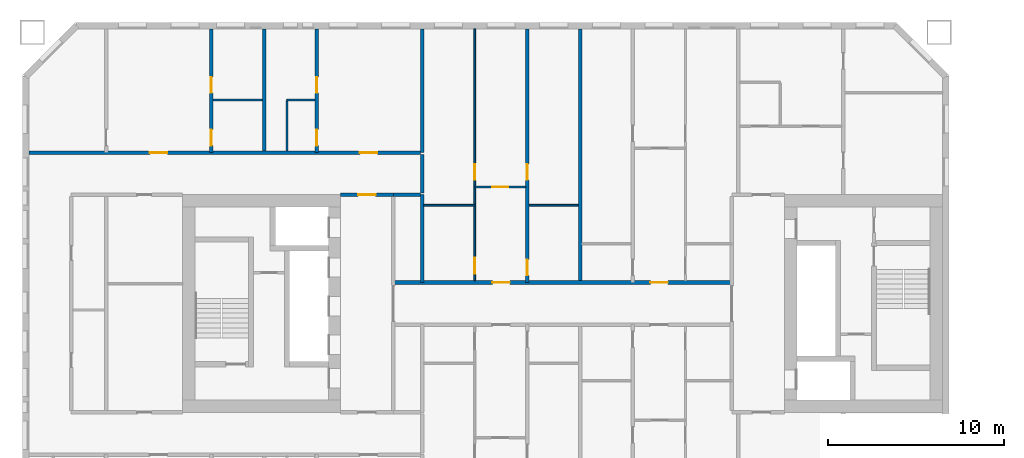
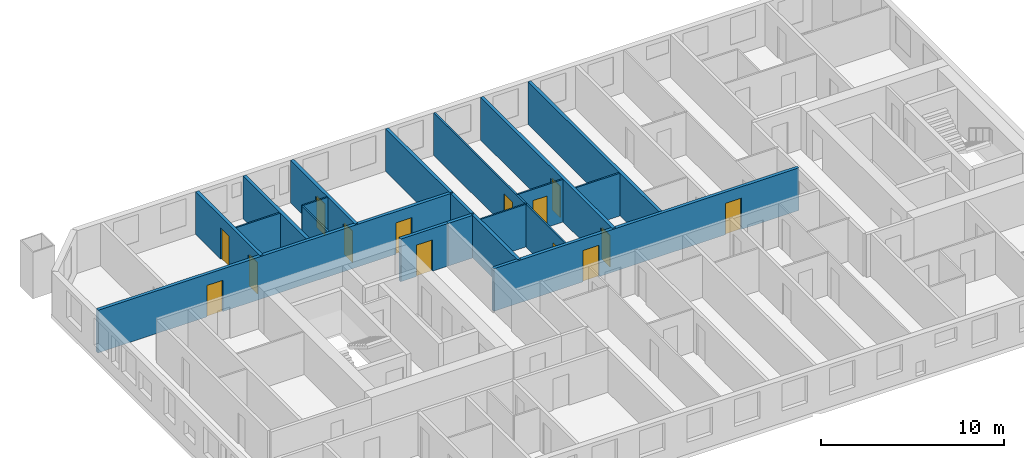
# One storey, part 5 of 17: 19 walls, 14 doors, 14 openings.
"""IFC4 building model written with IfcOpenShell, lengths in metres."""

from ifc_helpers import new_model, si_unit, direction, frame, frame_2d, origin, place, context, subcontext, project, spatial, rectangle, extrude, material, layer, layer_set, type_object, element, fill, save


model = new_model("IFC4")

# Units and contexts
model_context = context("Model", 3, precision=1e-05, world=origin(), true_north=direction((0.0, 1.0)))
body_context = subcontext(model_context, "Body", "Model", "MODEL_VIEW")
ifc_project = project(units=[si_unit("LENGTHUNIT", "METRE"), si_unit("AREAUNIT", "SQUARE_METRE"), si_unit("VOLUMEUNIT", "CUBIC_METRE"), si_unit("PLANEANGLEUNIT", "RADIAN"), si_unit("MASSUNIT", "GRAM", prefix="KILO")], contexts=[model_context])

# Site, building, storey
site_placement = place(None, origin())
site = spatial("IfcSite", under=ifc_project, at=site_placement, CompositionType="ELEMENT")
building_placement = place(site_placement, origin())
building = spatial("IfcBuilding", under=site, at=building_placement, Name="Tuart Gate Housing", CompositionType="ELEMENT")
storey_placement = place(building_placement, frame((0.0, 0.0, 77.800048828125)))
storey = spatial("IfcBuildingStorey", under=building, at=storey_placement, Name="L21", CompositionType="ELEMENT", Elevation=77.800048828125)

# Wall, openings, doors
ifc_material_1 = material(Name="Concrete masonry 15 MPa", Category="masonry")
ifc_layer_1 = layer(ifc_material_1, 0.199951171875)
ifc_layer_set_1 = layer_set([ifc_layer_1], Name="Corridor wall masonry 200")
wall_type_1 = type_object("IfcWallType", Name="Corridor wall masonry 200", PredefinedType="PARTITIONING", material=ifc_layer_set_1)
wall_1_placement = place(storey_placement, frame((44.360107421875, 71.199951171875, 0.0), z_axis=(0.0, 0.0, 1.0), x_axis=(1.0, 0.0, 0.0)))
wall_1 = element("IfcWall", 1, at=wall_1_placement, inside=storey, type_object=wall_type_1, Name="Corridor wall masonry 200", PredefinedType="PARTITIONING", context=body_context, shape_type="SweptSolid", body=[
    extrude(rectangle(XDim=19.27978515625, YDim=0.199951171875, at=frame_2d((9.639892578125, 0.0))), origin(), (0.0, 0.0, 1.0), 2.849853515625),
])
opening_1_placement = place(wall_1_placement, frame((14.639892578125, 0.0, 0.0)))
opening_1 = element("IfcOpeningElement", 2, at=opening_1_placement, cuts=wall_1, Name="Opening D859", PredefinedType="OPENING", context=body_context, shape_type="SweptSolid", body=[
    extrude(rectangle(XDim=1.0, YDim=2.10009765625, at=frame_2d((0.5, 1.050048828125))), frame((0.0, 0.10986328125, 0.0), z_axis=(0.0, -1.0, 0.0), x_axis=(1.0, 0.0, 0.0)), (0.0, 0.0, 1.0), 0.219970703125),
])
opening_2_placement = place(wall_1_placement, frame((5.639892578125, 0.0, 0.0)))
opening_2 = element("IfcOpeningElement", 3, at=opening_2_placement, cuts=wall_1, Name="Opening D860", PredefinedType="OPENING", context=body_context, shape_type="SweptSolid", body=[
    extrude(rectangle(XDim=1.0, YDim=2.10009765625, at=frame_2d((0.5, 1.050048828125))), frame((0.0, 0.10986328125, 0.0), z_axis=(0.0, -1.0, 0.0), x_axis=(1.0, 0.0, 0.0)), (0.0, 0.0, 1.0), 0.219970703125),
])
ifc_material_2 = material(Name="Timber door leaf in steel frame", Category="steel")
door_type_1 = type_object("IfcDoorType", Name="Flat entrance door 1000", OperationType="SINGLE_SWING_LEFT", PredefinedType="DOOR", material=ifc_material_2)
door_1_placement = place(opening_1_placement, origin())
door_1 = element("IfcDoor", 4, at=door_1_placement, inside=storey, type_object=door_type_1, Name="Flat entrance door", OperationType="SINGLE_SWING_LEFT", OverallHeight=2.10009765625, OverallWidth=1.0, PredefinedType="DOOR", context=body_context, shape_type="SweptSolid", body=[
    extrude(rectangle(XDim=1.0, YDim=2.10009765625, at=frame_2d((0.5, 1.050048828125))), frame((0.0, 0.02490234375, 0.0), z_axis=(0.0, -1.0, 0.0), x_axis=(1.0, 0.0, 0.0)), (0.0, 0.0, 1.0), 0.050048828125),
])
fill(opening_1, door_1)
door_2_placement = place(opening_2_placement, origin())
door_2 = element("IfcDoor", 5, at=door_2_placement, inside=storey, type_object=door_type_1, Name="Flat entrance door", OperationType="SINGLE_SWING_LEFT", OverallHeight=2.10009765625, OverallWidth=1.0, PredefinedType="DOOR", context=body_context, shape_type="SweptSolid", body=[
    extrude(rectangle(XDim=1.0, YDim=2.10009765625, at=frame_2d((0.5, 1.050048828125))), frame((0.0, 0.02490234375, 0.0), z_axis=(0.0, -1.0, 0.0), x_axis=(1.0, 0.0, 0.0)), (0.0, 0.0, 1.0), 0.050048828125),
])
fill(opening_2, door_2)

# Wall
wall_2_placement = place(storey_placement, frame((44.360107421875, 76.199951171875, 0.0), z_axis=(0.0, 0.0, 1.0), x_axis=(1.0, 0.0, 0.0)))
element("IfcWall", 6, at=wall_2_placement, inside=storey, type_object=wall_type_1, Name="Corridor wall masonry 200", PredefinedType="PARTITIONING", context=body_context, shape_type="SweptSolid", body=[
    extrude(rectangle(XDim=1.539794921875, YDim=0.199951171875, at=frame_2d((0.77001953125, 0.0))), origin(), (0.0, 0.0, 1.0), 2.849853515625),
])

# Wall, openings, doors
wall_3_placement = place(storey_placement, frame((23.610107421875, 78.60009765625, 0.0), z_axis=(0.0, 0.0, 1.0), x_axis=(1.0, 0.0, 0.0)))
wall_3 = element("IfcWall", 7, at=wall_3_placement, inside=storey, type_object=wall_type_1, Name="Corridor wall masonry 200", PredefinedType="PARTITIONING", context=body_context, shape_type="SweptSolid", body=[
    extrude(rectangle(XDim=22.289794921875, YDim=0.199951171875, at=frame_2d((11.14501953125, 0.0))), origin(), (0.0, 0.0, 1.0), 2.849853515625),
])
opening_3_placement = place(wall_3_placement, frame((18.840087890625, 0.0, 0.0)))
opening_3 = element("IfcOpeningElement", 8, at=opening_3_placement, cuts=wall_3, Name="Opening D843", PredefinedType="OPENING", context=body_context, shape_type="SweptSolid", body=[
    extrude(rectangle(XDim=1.0, YDim=2.10009765625, at=frame_2d((0.5, 1.050048828125))), frame((0.0, 0.10986328125, 0.0), z_axis=(0.0, -1.0, 0.0), x_axis=(1.0, 0.0, 0.0)), (0.0, 0.0, 1.0), 0.219970703125),
])
opening_4_placement = place(wall_3_placement, frame((6.889892578125, 0.0, 0.0)))
opening_4 = element("IfcOpeningElement", 9, at=opening_4_placement, cuts=wall_3, Name="Opening D844", PredefinedType="OPENING", context=body_context, shape_type="SweptSolid", body=[
    extrude(rectangle(XDim=1.0, YDim=2.10009765625, at=frame_2d((0.5, 1.050048828125))), frame((0.0, 0.10986328125, 0.0), z_axis=(0.0, -1.0, 0.0), x_axis=(1.0, 0.0, 0.0)), (0.0, 0.0, 1.0), 0.219970703125),
])
door_3_placement = place(opening_3_placement, origin())
door_3 = element("IfcDoor", 10, at=door_3_placement, inside=storey, type_object=door_type_1, Name="Flat entrance door", OperationType="SINGLE_SWING_LEFT", OverallHeight=2.10009765625, OverallWidth=1.0, PredefinedType="DOOR", context=body_context, shape_type="SweptSolid", body=[
    extrude(rectangle(XDim=1.0, YDim=2.10009765625, at=frame_2d((0.5, 1.050048828125))), frame((0.0, 0.02490234375, 0.0), z_axis=(0.0, -1.0, 0.0), x_axis=(1.0, 0.0, 0.0)), (0.0, 0.0, 1.0), 0.050048828125),
])
fill(opening_3, door_3)
door_4_placement = place(opening_4_placement, origin())
door_4 = element("IfcDoor", 11, at=door_4_placement, inside=storey, type_object=door_type_1, Name="Flat entrance door", OperationType="SINGLE_SWING_LEFT", OverallHeight=2.10009765625, OverallWidth=1.0, PredefinedType="DOOR", context=body_context, shape_type="SweptSolid", body=[
    extrude(rectangle(XDim=1.0, YDim=2.10009765625, at=frame_2d((0.5, 1.050048828125))), frame((0.0, 0.02490234375, 0.0), z_axis=(0.0, -1.0, 0.0), x_axis=(1.0, 0.0, 0.0)), (0.0, 0.0, 1.0), 0.050048828125),
])
fill(opening_4, door_4)

# Wall
wall_4_placement = place(storey_placement, frame((46.0, 76.300048828125, 0.0), z_axis=(0.0, 0.0, 1.0), x_axis=(0.0, 1.0, 0.0)))
element("IfcWall", 12, at=wall_4_placement, inside=storey, type_object=wall_type_1, Name="Corridor wall masonry 200", PredefinedType="PARTITIONING", context=body_context, shape_type="SweptSolid", body=[
    extrude(rectangle(XDim=2.199951171875, YDim=0.199951171875, at=frame_2d((1.10009765625, 0.0))), origin(), (0.0, 0.0, 1.0), 2.849853515625),
])

# Wall, opening, door
ifc_material_3 = material(Name="Concrete masonry 15 MPa", Category="masonry")
ifc_layer_2 = layer(ifc_material_3, 0.199951171875)
ifc_layer_set_2 = layer_set([ifc_layer_2], Name="Enclosure wall masonry 200")
wall_type_2 = type_object("IfcWallType", Name="Enclosure wall masonry 200", PredefinedType="PARTITIONING", material=ifc_layer_set_2)
wall_5_placement = place(storey_placement, frame((41.360107421875, 76.199951171875, 0.0), z_axis=(0.0, 0.0, 1.0), x_axis=(1.0, 0.0, 0.0)))
wall_5 = element("IfcWall", 13, at=wall_5_placement, inside=storey, type_object=wall_type_2, Name="Enclosure wall masonry 200", PredefinedType="PARTITIONING", context=body_context, shape_type="SweptSolid", body=[
    extrude(rectangle(XDim=3.0, YDim=0.199951171875, at=frame_2d((1.5, 0.0))), origin(), (0.0, 0.0, 1.0), 2.849853515625),
])
opening_5_placement = place(wall_5_placement, frame((1.0, 0.0, 0.0)))
opening_5 = element("IfcOpeningElement", 14, at=opening_5_placement, cuts=wall_5, Name="Opening D855", PredefinedType="OPENING", context=body_context, shape_type="SweptSolid", body=[
    extrude(rectangle(XDim=1.0, YDim=2.10009765625, at=frame_2d((0.5, 1.050048828125))), frame((0.0, 0.10986328125, 0.0), z_axis=(0.0, -1.0, 0.0), x_axis=(1.0, 0.0, 0.0)), (0.0, 0.0, 1.0), 0.219970703125),
])
ifc_material_4 = material(Name="Timber door leaf in steel frame", Category="steel")
door_type_2 = type_object("IfcDoorType", Name="Fire door 1000 RH", OperationType="SINGLE_SWING_RIGHT", PredefinedType="DOOR", material=ifc_material_4)
door_5_placement = place(opening_5_placement, origin())
door_5 = element("IfcDoor", 15, at=door_5_placement, inside=storey, type_object=door_type_2, Name="Fire door", OperationType="SINGLE_SWING_RIGHT", OverallHeight=2.10009765625, OverallWidth=1.0, PredefinedType="DOOR", context=body_context, shape_type="SweptSolid", body=[
    extrude(rectangle(XDim=1.0, YDim=2.10009765625, at=frame_2d((0.5, 1.050048828125))), frame((0.0, 0.02490234375, 0.0), z_axis=(0.0, -1.0, 0.0), x_axis=(1.0, 0.0, 0.0)), (0.0, 0.0, 1.0), 0.050048828125),
])
fill(opening_5, door_5)

# Walls
ifc_material_5 = material(Name="Gypsum board on steel studs", Category="steel")
ifc_layer_3 = layer(ifc_material_5, 0.10009765625)
ifc_layer_set_3 = layer_set([ifc_layer_3], Name="Partition 100")
wall_type_3 = type_object("IfcWallType", Name="Partition 100", PredefinedType="PARTITIONING", material=ifc_layer_set_3)
wall_6_placement = place(storey_placement, frame((46.10009765625, 75.60009765625, 0.0), z_axis=(0.0, 0.0, 1.0), x_axis=(1.0, 0.0, 0.0)))
element("IfcWall", 16, at=wall_6_placement, inside=storey, type_object=wall_type_3, Name="Partition 100", PredefinedType="PARTITIONING", context=body_context, shape_type="SweptSolid", body=[
    extrude(rectangle(XDim=2.89990234375, YDim=0.10009765625, at=frame_2d((1.449951171875, 0.0))), origin(), (0.0, 0.0, 1.0), 2.849853515625),
])
wall_7_placement = place(storey_placement, frame((52.10009765625, 75.60009765625, 0.0), z_axis=(0.0, 0.0, 1.0), x_axis=(1.0, 0.0, 0.0)))
element("IfcWall", 17, at=wall_7_placement, inside=storey, type_object=wall_type_3, Name="Partition 100", PredefinedType="PARTITIONING", context=body_context, shape_type="SweptSolid", body=[
    extrude(rectangle(XDim=2.7998046875, YDim=0.10009765625, at=frame_2d((1.39990234375, 0.0))), origin(), (0.0, 0.0, 1.0), 2.849853515625),
])

# Wall, opening, door
wall_8_placement = place(storey_placement, frame((49.0, 76.639892578125, 0.0), z_axis=(0.0, 0.0, 1.0), x_axis=(1.0, 0.0, 0.0)))
wall_8 = element("IfcWall", 18, at=wall_8_placement, inside=storey, type_object=wall_type_3, Name="Partition 100", PredefinedType="PARTITIONING", context=body_context, shape_type="SweptSolid", body=[
    extrude(rectangle(XDim=2.89990234375, YDim=0.10009765625, at=frame_2d((1.449951171875, 0.0))), origin(), (0.0, 0.0, 1.0), 2.849853515625),
])
opening_6_placement = place(wall_8_placement, frame((1.0, 0.0, 0.0)))
opening_6 = element("IfcOpeningElement", 19, at=opening_6_placement, cuts=wall_8, Name="Opening D853", PredefinedType="OPENING", context=body_context, shape_type="SweptSolid", body=[
    extrude(rectangle(XDim=0.89990234375, YDim=2.10009765625, at=frame_2d((0.449951171875, 1.050048828125))), frame((0.0, 0.06005859375, 0.0), z_axis=(0.0, -1.0, 0.0), x_axis=(1.0, 0.0, 0.0)), (0.0, 0.0, 1.0), 0.1201171875),
])
ifc_material_6 = material(Name="Timber door leaf in steel frame", Category="steel")
door_type_3 = type_object("IfcDoorType", Name="Internal door 900 RH", OperationType="SINGLE_SWING_RIGHT", PredefinedType="DOOR", material=ifc_material_6)
door_6_placement = place(opening_6_placement, frame((0.89990234375, 0.0, 0.0), z_axis=(0.0, 0.0, 1.0), x_axis=(-1.0, 0.0, 0.0)))
door_6 = element("IfcDoor", 20, at=door_6_placement, inside=storey, type_object=door_type_3, Name="Internal door", OperationType="SINGLE_SWING_RIGHT", OverallHeight=2.10009765625, OverallWidth=0.89990234375, PredefinedType="DOOR", context=body_context, shape_type="SweptSolid", body=[
    extrude(rectangle(XDim=0.89990234375, YDim=2.10009765625, at=frame_2d((0.449951171875, 1.050048828125))), frame((0.0, 0.025146484375, 0.0), z_axis=(0.0, -1.0, 0.0), x_axis=(1.0, 0.0, 0.0)), (0.0, 0.0, 1.0), 0.050048828125),
])
fill(opening_6, door_6)

# Walls
wall_9_placement = place(storey_placement, frame((34.10009765625, 81.60009765625, 0.0), z_axis=(0.0, 0.0, 1.0), x_axis=(1.0, 0.0, 0.0)))
element("IfcWall", 21, at=wall_9_placement, inside=storey, type_object=wall_type_3, Name="Partition 100", PredefinedType="PARTITIONING", context=body_context, shape_type="SweptSolid", body=[
    extrude(rectangle(XDim=2.7998046875, YDim=0.10009765625, at=frame_2d((1.39990234375, 0.0))), origin(), (0.0, 0.0, 1.0), 2.849853515625),
])
wall_10_placement = place(storey_placement, frame((38.300048828125, 81.60009765625, 0.0), z_axis=(0.0, 0.0, 1.0), x_axis=(1.0, 0.0, 0.0)))
element("IfcWall", 22, at=wall_10_placement, inside=storey, type_object=wall_type_3, Name="Partition 100", PredefinedType="PARTITIONING", context=body_context, shape_type="SweptSolid", body=[
    extrude(rectangle(XDim=1.599853515625, YDim=0.10009765625, at=frame_2d((0.7998046875, 0.0))), origin(), (0.0, 0.0, 1.0), 2.849853515625),
])
wall_11_placement = place(storey_placement, frame((38.300048828125, 78.699951171875, 0.0), z_axis=(0.0, 0.0, 1.0), x_axis=(0.0, 1.0, 0.0)))
element("IfcWall", 23, at=wall_11_placement, inside=storey, type_object=wall_type_3, Name="Partition 100", PredefinedType="PARTITIONING", context=body_context, shape_type="SweptSolid", body=[
    extrude(rectangle(XDim=2.85009765625, YDim=0.10009765625, at=frame_2d((1.425048828125, 0.0))), origin(), (0.0, 0.0, 1.0), 2.849853515625),
])

# Wall, openings, doors
wall_12_placement = place(storey_placement, frame((49.0, 71.300048828125, 0.0), z_axis=(0.0, 0.0, 1.0), x_axis=(0.0, 1.0, 0.0)))
wall_12 = element("IfcWall", 24, at=wall_12_placement, inside=storey, type_object=wall_type_3, Name="Partition 100", PredefinedType="PARTITIONING", context=body_context, shape_type="SweptSolid", body=[
    extrude(rectangle(XDim=14.33984375, YDim=0.10009765625, at=frame_2d((7.169921875, 0.0))), origin(), (0.0, 0.0, 1.0), 2.849853515625),
])
opening_7_placement = place(wall_12_placement, frame((5.739990234375, 0.0, 0.0)))
opening_7 = element("IfcOpeningElement", 25, at=opening_7_placement, cuts=wall_12, Name="Opening D846", PredefinedType="OPENING", context=body_context, shape_type="SweptSolid", body=[
    extrude(rectangle(XDim=0.89990234375, YDim=2.10009765625, at=frame_2d((0.449951171875, 1.050048828125))), frame((0.0, 0.06005859375, 0.0), z_axis=(0.0, -1.0, 0.0), x_axis=(1.0, 0.0, 0.0)), (0.0, 0.0, 1.0), 0.1201171875),
])
opening_8_placement = place(wall_12_placement, frame((0.39990234375, 0.0, 0.0)))
opening_8 = element("IfcOpeningElement", 26, at=opening_8_placement, cuts=wall_12, Name="Opening D845", PredefinedType="OPENING", context=body_context, shape_type="SweptSolid", body=[
    extrude(rectangle(XDim=0.89990234375, YDim=2.10009765625, at=frame_2d((0.449951171875, 1.050048828125))), frame((0.0, 0.06005859375, 0.0), z_axis=(0.0, -1.0, 0.0), x_axis=(1.0, 0.0, 0.0)), (0.0, 0.0, 1.0), 0.1201171875),
])
ifc_material_7 = material(Name="Timber door leaf in steel frame", Category="steel")
door_type_4 = type_object("IfcDoorType", Name="Bathroom door 900", OperationType="SINGLE_SWING_LEFT", PredefinedType="DOOR", material=ifc_material_7)
door_7_placement = place(opening_8_placement, origin())
door_7 = element("IfcDoor", 27, at=door_7_placement, inside=storey, type_object=door_type_4, Name="Bathroom door", OperationType="SINGLE_SWING_LEFT", OverallHeight=2.10009765625, OverallWidth=0.89990234375, PredefinedType="DOOR", context=body_context, shape_type="SweptSolid", body=[
    extrude(rectangle(XDim=0.89990234375, YDim=2.10009765625, at=frame_2d((0.449951171875, 1.050048828125))), frame((0.0, 0.02490234375, 0.0), z_axis=(0.0, -1.0, 0.0), x_axis=(1.0, 0.0, 0.0)), (0.0, 0.0, 1.0), 0.050048828125),
])
fill(opening_8, door_7)
ifc_material_8 = material(Name="Timber door leaf in steel frame", Category="steel")
door_type_5 = type_object("IfcDoorType", Name="Internal door 900", OperationType="SINGLE_SWING_LEFT", PredefinedType="DOOR", material=ifc_material_8)
door_8_placement = place(opening_7_placement, origin())
door_8 = element("IfcDoor", 28, at=door_8_placement, inside=storey, type_object=door_type_5, Name="Internal door", OperationType="SINGLE_SWING_LEFT", OverallHeight=2.10009765625, OverallWidth=0.89990234375, PredefinedType="DOOR", context=body_context, shape_type="SweptSolid", body=[
    extrude(rectangle(XDim=0.89990234375, YDim=2.10009765625, at=frame_2d((0.449951171875, 1.050048828125))), frame((0.0, 0.02490234375, 0.0), z_axis=(0.0, -1.0, 0.0), x_axis=(1.0, 0.0, 0.0)), (0.0, 0.0, 1.0), 0.050048828125),
])
fill(opening_7, door_8)

ifc_material_9 = material(Name="Concrete C40", Category="concrete")
ifc_layer_4 = layer(ifc_material_9, 0.199951171875)
ifc_layer_set_4 = layer_set([ifc_layer_4], Name="Party wall concrete C40 200")
wall_type_4 = type_object("IfcWallType", Name="Party wall concrete C40 200", PredefinedType="SOLIDWALL", material=ifc_layer_set_4)
wall_13_placement = place(storey_placement, frame((34.0, 78.60009765625, 0.0), z_axis=(0.0, 0.0, 1.0), x_axis=(0.0, 1.0, 0.0)))
wall_13 = element("IfcWall", 29, at=wall_13_placement, inside=storey, type_object=wall_type_4, Name="Party wall concrete C40 200", PredefinedType="SOLIDWALL", context=body_context, shape_type="SweptSolid", body=[
    extrude(rectangle(XDim=7.039794921875, YDim=0.199951171875, at=frame_2d((3.52001953125, 0.0))), origin(), (0.0, 0.0, 1.0), 2.849853515625),
])
opening_9_placement = place(wall_13_placement, frame((3.39990234375, 0.0, 0.0)))
opening_9 = element("IfcOpeningElement", 30, at=opening_9_placement, cuts=wall_13, Name="Opening D835", PredefinedType="OPENING", context=body_context, shape_type="SweptSolid", body=[
    extrude(rectangle(XDim=0.89990234375, YDim=2.10009765625, at=frame_2d((0.449951171875, 1.050048828125))), frame((0.0, 0.10986328125, 0.0), z_axis=(0.0, -1.0, 0.0), x_axis=(1.0, 0.0, 0.0)), (0.0, 0.0, 1.0), 0.219970703125),
])
opening_10_placement = place(wall_13_placement, frame((0.39990234375, 0.0, 0.0)))
opening_10 = element("IfcOpeningElement", 31, at=opening_10_placement, cuts=wall_13, Name="Opening D834", PredefinedType="OPENING", context=body_context, shape_type="SweptSolid", body=[
    extrude(rectangle(XDim=0.89990234375, YDim=2.10009765625, at=frame_2d((0.449951171875, 1.050048828125))), frame((0.0, 0.10986328125, 0.0), z_axis=(0.0, -1.0, 0.0), x_axis=(1.0, 0.0, 0.0)), (0.0, 0.0, 1.0), 0.219970703125),
])
ifc_material_10 = material(Name="Timber door leaf in steel frame", Category="steel")
door_type_6 = type_object("IfcDoorType", Name="Bathroom door 900 RH", OperationType="SINGLE_SWING_RIGHT", PredefinedType="DOOR", material=ifc_material_10)
door_9_placement = place(opening_10_placement, frame((0.89990234375, 0.0, 0.0), z_axis=(0.0, 0.0, 1.0), x_axis=(-1.0, 0.0, 0.0)))
door_9 = element("IfcDoor", 32, at=door_9_placement, inside=storey, type_object=door_type_6, Name="Bathroom door", OperationType="SINGLE_SWING_RIGHT", OverallHeight=2.10009765625, OverallWidth=0.89990234375, PredefinedType="DOOR", context=body_context, shape_type="SweptSolid", body=[
    extrude(rectangle(XDim=0.89990234375, YDim=2.10009765625, at=frame_2d((0.449951171875, 1.050048828125))), frame((0.0, 0.025146484375, 0.0), z_axis=(0.0, -1.0, 0.0), x_axis=(1.0, 0.0, 0.0)), (0.0, 0.0, 1.0), 0.050048828125),
])
fill(opening_10, door_9)
door_10_placement = place(opening_9_placement, frame((0.89990234375, 0.0, 0.0), z_axis=(0.0, 0.0, 1.0), x_axis=(-1.0, 0.0, 0.0)))
door_10 = element("IfcDoor", 33, at=door_10_placement, inside=storey, type_object=door_type_3, Name="Internal door", OperationType="SINGLE_SWING_RIGHT", OverallHeight=2.10009765625, OverallWidth=0.89990234375, PredefinedType="DOOR", context=body_context, shape_type="SweptSolid", body=[
    extrude(rectangle(XDim=0.89990234375, YDim=2.10009765625, at=frame_2d((0.449951171875, 1.050048828125))), frame((0.0, 0.025146484375, 0.0), z_axis=(0.0, -1.0, 0.0), x_axis=(1.0, 0.0, 0.0)), (0.0, 0.0, 1.0), 0.050048828125),
])
fill(opening_9, door_10)

wall_14_placement = place(storey_placement, frame((40.0, 78.60009765625, 0.0), z_axis=(0.0, 0.0, 1.0), x_axis=(0.0, 1.0, 0.0)))
wall_14 = element("IfcWall", 34, at=wall_14_placement, inside=storey, type_object=wall_type_4, Name="Party wall concrete C40 200", PredefinedType="SOLIDWALL", context=body_context, shape_type="SweptSolid", body=[
    extrude(rectangle(XDim=7.039794921875, YDim=0.199951171875, at=frame_2d((3.52001953125, 0.0))), origin(), (0.0, 0.0, 1.0), 2.849853515625),
])
opening_11_placement = place(wall_14_placement, frame((3.39990234375, 0.0, 0.0)))
opening_11 = element("IfcOpeningElement", 35, at=opening_11_placement, cuts=wall_14, Name="Opening D837", PredefinedType="OPENING", context=body_context, shape_type="SweptSolid", body=[
    extrude(rectangle(XDim=0.89990234375, YDim=2.10009765625, at=frame_2d((0.449951171875, 1.050048828125))), frame((0.0, 0.10986328125, 0.0), z_axis=(0.0, -1.0, 0.0), x_axis=(1.0, 0.0, 0.0)), (0.0, 0.0, 1.0), 0.219970703125),
])
opening_12_placement = place(wall_14_placement, frame((0.39990234375, 0.0, 0.0)))
opening_12 = element("IfcOpeningElement", 36, at=opening_12_placement, cuts=wall_14, Name="Opening D836", PredefinedType="OPENING", context=body_context, shape_type="SweptSolid", body=[
    extrude(rectangle(XDim=0.89990234375, YDim=2.10009765625, at=frame_2d((0.449951171875, 1.050048828125))), frame((0.0, 0.10986328125, 0.0), z_axis=(0.0, -1.0, 0.0), x_axis=(1.0, 0.0, 0.0)), (0.0, 0.0, 1.0), 0.219970703125),
])
door_11_placement = place(opening_12_placement, origin())
door_11 = element("IfcDoor", 37, at=door_11_placement, inside=storey, type_object=door_type_4, Name="Bathroom door", OperationType="SINGLE_SWING_LEFT", OverallHeight=2.10009765625, OverallWidth=0.89990234375, PredefinedType="DOOR", context=body_context, shape_type="SweptSolid", body=[
    extrude(rectangle(XDim=0.89990234375, YDim=2.10009765625, at=frame_2d((0.449951171875, 1.050048828125))), frame((0.0, 0.02490234375, 0.0), z_axis=(0.0, -1.0, 0.0), x_axis=(1.0, 0.0, 0.0)), (0.0, 0.0, 1.0), 0.050048828125),
])
fill(opening_12, door_11)
door_12_placement = place(opening_11_placement, origin())
door_12 = element("IfcDoor", 38, at=door_12_placement, inside=storey, type_object=door_type_5, Name="Internal door", OperationType="SINGLE_SWING_LEFT", OverallHeight=2.10009765625, OverallWidth=0.89990234375, PredefinedType="DOOR", context=body_context, shape_type="SweptSolid", body=[
    extrude(rectangle(XDim=0.89990234375, YDim=2.10009765625, at=frame_2d((0.449951171875, 1.050048828125))), frame((0.0, 0.02490234375, 0.0), z_axis=(0.0, -1.0, 0.0), x_axis=(1.0, 0.0, 0.0)), (0.0, 0.0, 1.0), 0.050048828125),
])
fill(opening_11, door_12)

# Walls
wall_15_placement = place(storey_placement, frame((46.0, 71.199951171875, 0.0), z_axis=(0.0, 0.0, 1.0), x_axis=(0.0, 1.0, 0.0)))
element("IfcWall", 39, at=wall_15_placement, inside=storey, type_object=wall_type_4, Name="Party wall concrete C40 200", PredefinedType="SOLIDWALL", context=body_context, shape_type="SweptSolid", body=[
    extrude(rectangle(XDim=5.0, YDim=0.199951171875, at=frame_2d((2.5, 0.0))), origin(), (0.0, 0.0, 1.0), 2.849853515625),
])
wall_16_placement = place(storey_placement, frame((46.0, 78.60009765625, 0.0), z_axis=(0.0, 0.0, 1.0), x_axis=(0.0, 1.0, 0.0)))
element("IfcWall", 40, at=wall_16_placement, inside=storey, type_object=wall_type_4, Name="Party wall concrete C40 200", PredefinedType="SOLIDWALL", context=body_context, shape_type="SweptSolid", body=[
    extrude(rectangle(XDim=7.039794921875, YDim=0.199951171875, at=frame_2d((3.52001953125, 0.0))), origin(), (0.0, 0.0, 1.0), 2.849853515625),
])

# Wall, openings, doors
wall_17_placement = place(storey_placement, frame((52.0, 71.199951171875, 0.0), z_axis=(0.0, 0.0, 1.0), x_axis=(0.0, 1.0, 0.0)))
wall_17 = element("IfcWall", 41, at=wall_17_placement, inside=storey, type_object=wall_type_4, Name="Party wall concrete C40 200", PredefinedType="SOLIDWALL", context=body_context, shape_type="SweptSolid", body=[
    extrude(rectangle(XDim=14.43994140625, YDim=0.199951171875, at=frame_2d((7.219970703125, 0.0))), origin(), (0.0, 0.0, 1.0), 2.849853515625),
])
opening_13_placement = place(wall_17_placement, frame((5.840087890625, 0.0, 0.0)))
opening_13 = element("IfcOpeningElement", 42, at=opening_13_placement, cuts=wall_17, Name="Opening D850", PredefinedType="OPENING", context=body_context, shape_type="SweptSolid", body=[
    extrude(rectangle(XDim=0.89990234375, YDim=2.10009765625, at=frame_2d((0.449951171875, 1.050048828125))), frame((0.0, 0.10986328125, 0.0), z_axis=(0.0, -1.0, 0.0), x_axis=(1.0, 0.0, 0.0)), (0.0, 0.0, 1.0), 0.219970703125),
])
opening_14_placement = place(wall_17_placement, frame((0.39990234375, 0.0, 0.0)))
opening_14 = element("IfcOpeningElement", 43, at=opening_14_placement, cuts=wall_17, Name="Opening D849", PredefinedType="OPENING", context=body_context, shape_type="SweptSolid", body=[
    extrude(rectangle(XDim=0.89990234375, YDim=2.10009765625, at=frame_2d((0.449951171875, 1.050048828125))), frame((0.0, 0.10986328125, 0.0), z_axis=(0.0, -1.0, 0.0), x_axis=(1.0, 0.0, 0.0)), (0.0, 0.0, 1.0), 0.219970703125),
])
door_13_placement = place(opening_14_placement, frame((0.89990234375, 0.0, 0.0), z_axis=(0.0, 0.0, 1.0), x_axis=(-1.0, 0.0, 0.0)))
door_13 = element("IfcDoor", 44, at=door_13_placement, inside=storey, type_object=door_type_6, Name="Bathroom door", OperationType="SINGLE_SWING_RIGHT", OverallHeight=2.10009765625, OverallWidth=0.89990234375, PredefinedType="DOOR", context=body_context, shape_type="SweptSolid", body=[
    extrude(rectangle(XDim=0.89990234375, YDim=2.10009765625, at=frame_2d((0.449951171875, 1.050048828125))), frame((0.0, 0.025146484375, 0.0), z_axis=(0.0, -1.0, 0.0), x_axis=(1.0, 0.0, 0.0)), (0.0, 0.0, 1.0), 0.050048828125),
])
fill(opening_14, door_13)
door_14_placement = place(opening_13_placement, frame((0.89990234375, 0.0, 0.0), z_axis=(0.0, 0.0, 1.0), x_axis=(-1.0, 0.0, 0.0)))
door_14 = element("IfcDoor", 45, at=door_14_placement, inside=storey, type_object=door_type_3, Name="Internal door", OperationType="SINGLE_SWING_RIGHT", OverallHeight=2.10009765625, OverallWidth=0.89990234375, PredefinedType="DOOR", context=body_context, shape_type="SweptSolid", body=[
    extrude(rectangle(XDim=0.89990234375, YDim=2.10009765625, at=frame_2d((0.449951171875, 1.050048828125))), frame((0.0, 0.025146484375, 0.0), z_axis=(0.0, -1.0, 0.0), x_axis=(1.0, 0.0, 0.0)), (0.0, 0.0, 1.0), 0.050048828125),
])
fill(opening_13, door_14)

# Walls
ifc_material_11 = material(Name="Concrete masonry 15 MPa", Category="masonry")
ifc_layer_5 = layer(ifc_material_11, 0.199951171875)
ifc_layer_set_5 = layer_set([ifc_layer_5], Name="Party wall masonry 200")
wall_type_5 = type_object("IfcWallType", Name="Party wall masonry 200", PredefinedType="PARTITIONING", material=ifc_layer_set_5)
wall_18_placement = place(storey_placement, frame((37.0, 78.699951171875, 0.0), z_axis=(0.0, 0.0, 1.0), x_axis=(0.0, 1.0, 0.0)))
element("IfcWall", 46, at=wall_18_placement, inside=storey, type_object=wall_type_5, Name="Party wall masonry 200", PredefinedType="PARTITIONING", context=body_context, shape_type="SweptSolid", body=[
    extrude(rectangle(XDim=6.93994140625, YDim=0.199951171875, at=frame_2d((3.469970703125, 0.0))), origin(), (0.0, 0.0, 1.0), 2.849853515625),
])
wall_19_placement = place(storey_placement, frame((55.0, 71.300048828125, 0.0), z_axis=(0.0, 0.0, 1.0), x_axis=(0.0, 1.0, 0.0)))
element("IfcWall", 47, at=wall_19_placement, inside=storey, type_object=wall_type_5, Name="Party wall masonry 200", PredefinedType="PARTITIONING", context=body_context, shape_type="SweptSolid", body=[
    extrude(rectangle(XDim=14.33984375, YDim=0.199951171875, at=frame_2d((7.169921875, 0.0))), origin(), (0.0, 0.0, 1.0), 2.849853515625),
])

save(model, "model.ifc")
